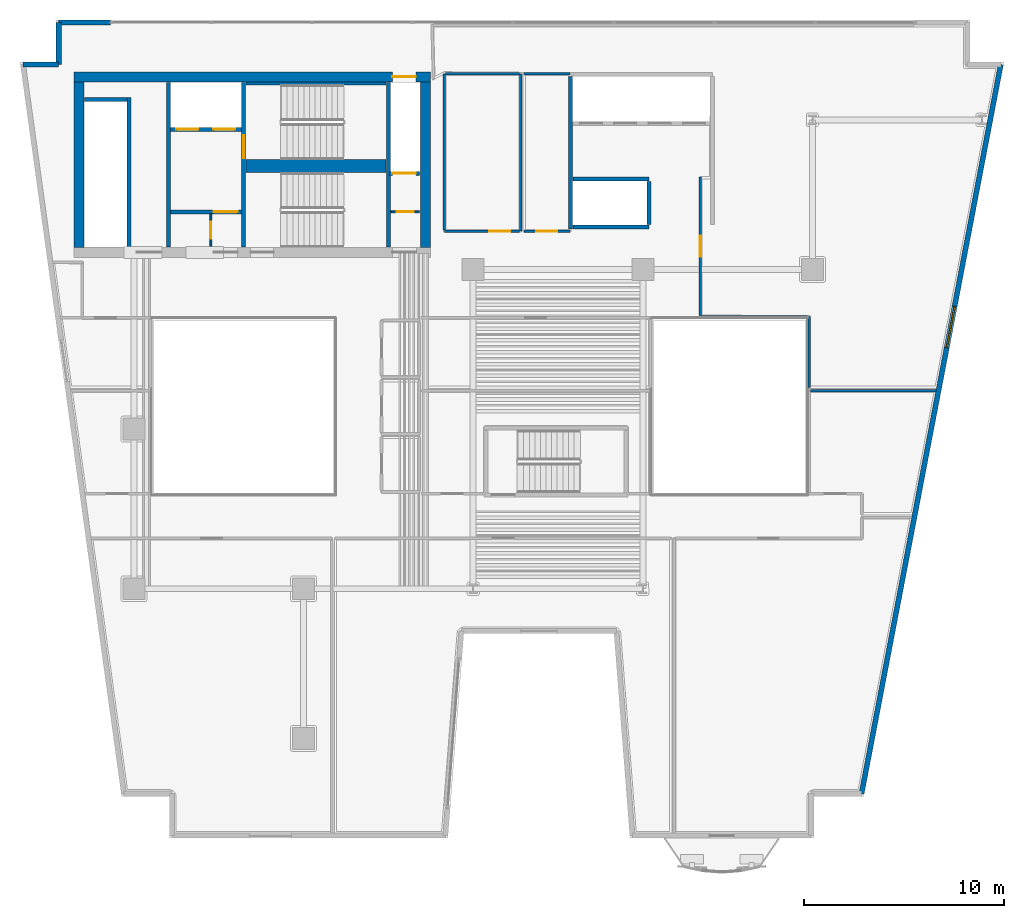
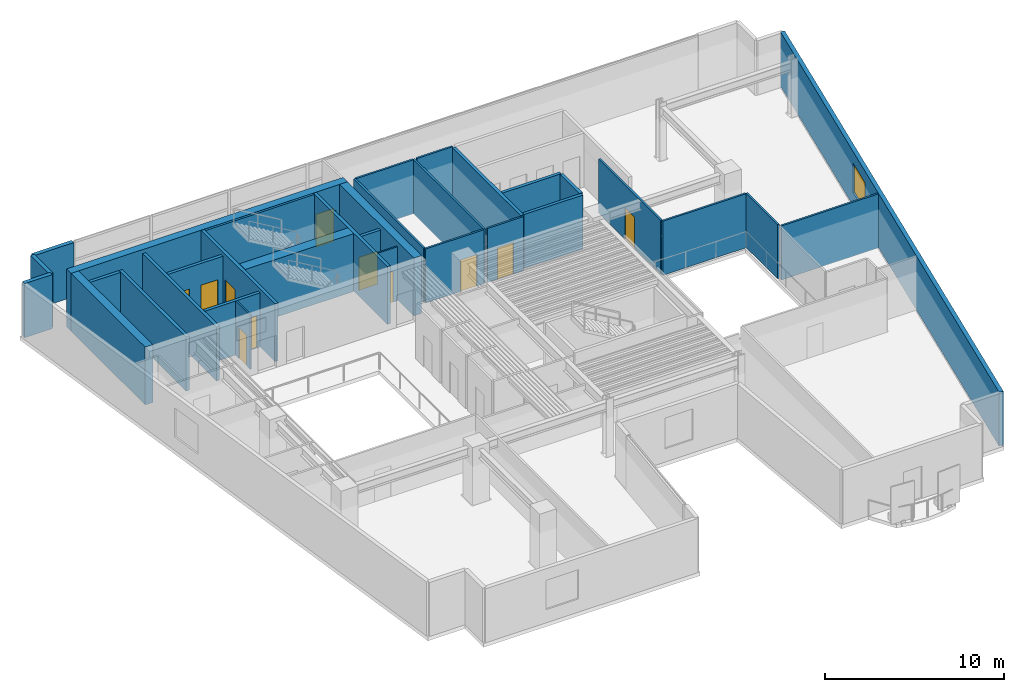
# One storey, part 7 of 13: 33 walls, 11 doors, 1 window, 12 openings.
"""IFC4 building model written with IfcOpenShell, lengths in metres."""

from ifc_helpers import new_model, si_unit, direction, frame, frame_2d, origin, place, context, subcontext, project, spatial, rectangle, extrude, material, layer, layer_set, type_object, element, fill, save


model = new_model("IFC4")

# Units and contexts
model_context = context("Model", 3, precision=1e-05, world=origin(), true_north=direction((0.0, 1.0)))
body_context = subcontext(model_context, "Body", "Model", "MODEL_VIEW")
ifc_project = project(units=[si_unit("LENGTHUNIT", "METRE"), si_unit("AREAUNIT", "SQUARE_METRE"), si_unit("VOLUMEUNIT", "CUBIC_METRE"), si_unit("PLANEANGLEUNIT", "RADIAN"), si_unit("MASSUNIT", "GRAM", prefix="KILO")], contexts=[model_context])

# Site, building, storey
site_placement = place(None, origin())
site = spatial("IfcSite", under=ifc_project, at=site_placement, CompositionType="ELEMENT")
building_placement = place(site_placement, origin())
building = spatial("IfcBuilding", under=site, at=building_placement, Name="Caeloran Harvest Quay", CompositionType="ELEMENT")
storey_placement = place(building_placement, frame((0.0, 0.0, 135.10009765625)))
storey = spatial("IfcBuildingStorey", under=building, at=storey_placement, Name="L31", CompositionType="ELEMENT", Elevation=135.10009765625)

# Walls
ifc_material_1 = material(Name="Precast concrete C50/60", Category="concrete")
ifc_layer_1 = layer(ifc_material_1, 0.260009765625, Name="Precast concrete C50/60")
ifc_layer_set_1 = layer_set([ifc_layer_1], Name="Precast concrete C50/60")
wall_type_1 = type_object("IfcWallType", Name="ENV-WALL-EW-260", PredefinedType="STANDARD", material=ifc_layer_set_1)
wall_1_placement = place(storey_placement, frame((2.939697265625, 41.27001953125, 0.0), z_axis=(0.0, 0.0, 1.0), x_axis=(1.0, 0.0, 0.0)))
element("IfcWall", 1, at=wall_1_placement, inside=storey, type_object=wall_type_1, Name="L31 Exterior Precast Concrete Facade Wall 4", PredefinedType="STANDARD", context=body_context, shape_type="SweptSolid", body=[
    extrude(rectangle(XDim=1.790283203125, YDim=0.260009765625, at=frame_2d((0.89501953125, 0.0))), origin(), (0.0, 0.0, 1.0), 3.68994140625),
])
wall_2_placement = place(storey_placement, frame((4.72998046875, 41.27001953125, 0.0), z_axis=(0.0, 0.0, 1.0), x_axis=(0.0, 1.0, 0.0)))
element("IfcWall", 2, at=wall_2_placement, inside=storey, type_object=wall_type_1, Name="L31 Exterior Precast Concrete Facade Wall 5", PredefinedType="STANDARD", context=body_context, shape_type="SweptSolid", body=[
    extrude(rectangle(XDim=2.10009765625, YDim=0.260009765625, at=frame_2d((1.050048828125, 0.0))), origin(), (0.0, 0.0, 1.0), 3.68994140625),
])
wall_3_placement = place(storey_placement, frame((4.72998046875, 43.3701171875, 0.0), z_axis=(0.0, 0.0, 1.0), x_axis=(1.0, 0.0, 0.0)))
element("IfcWall", 3, at=wall_3_placement, inside=storey, type_object=wall_type_1, Name="L31 Exterior Facade Corner Pier Wall 6A", PredefinedType="STANDARD", context=body_context, shape_type="SweptSolid", body=[
    extrude(rectangle(XDim=2.60009765625, YDim=0.260009765625, at=frame_2d((1.300048828125, 0.0))), origin(), (0.0, 0.0, 1.0), 3.68994140625),
])

# Wall, opening, window
wall_4_placement = place(storey_placement, frame((51.94189453125, 41.27001953125, 0.0), z_axis=(0.0, 0.0, 1.0), x_axis=(-0.187592192405, -0.982247000173, 0.0)))
wall_4 = element("IfcWall", 4, at=wall_4_placement, inside=storey, type_object=wall_type_1, Name="L31 Exterior Precast Concrete Facade Wall 9", PredefinedType="STANDARD", context=body_context, shape_type="SweptSolid", body=[
    extrude(rectangle(XDim=37.200439453125, YDim=0.260009765625, at=frame_2d((18.60009765625, 0.0))), origin(), (0.0, 0.0, 1.0), 3.68994140625),
])
opening_1_placement = place(wall_4_placement, frame((12.342041015625, 0.0, 0.89990234375)))
opening_1 = element("IfcOpeningElement", 5, at=opening_1_placement, cuts=wall_4, Name="Opening W-06", PredefinedType="OPENING", context=body_context, shape_type="SweptSolid", body=[
    extrude(rectangle(XDim=2.10009765625, YDim=2.0, at=frame_2d((1.050048828125, 1.0))), frame((0.0, 0.14013671875, 0.0), z_axis=(0.0, -1.0, 0.0), x_axis=(1.0, 0.0, 0.0)), (0.0, 0.0, 1.0), 0.280029296875),
])
ifc_material_2 = material(Name="Aluminium-Framed Low-E Laminated Glass", Category="aluminium")
window_type = type_object("IfcWindowType", Name="WIN-W-06", PartitioningType="DOUBLE_PANEL_VERTICAL", PredefinedType="WINDOW", material=ifc_material_2)
window_placement = place(opening_1_placement, origin())
window = element("IfcWindow", 6, at=window_placement, inside=storey, type_object=window_type, Name="L31 Facade Punched Window W-06", OverallHeight=2.0, OverallWidth=2.10009765625, PartitioningType="DOUBLE_PANEL_VERTICAL", PredefinedType="WINDOW", context=body_context, shape_type="SweptSolid", body=[
    extrude(rectangle(XDim=2.10009765625, YDim=2.0, at=frame_2d((1.050048828125, 1.0))), frame((0.0, 0.030029296875, 0.0), z_axis=(0.0, -1.0, 0.0), x_axis=(1.0, 0.0, 0.0)), (0.0, 0.0, 1.0), 0.06005859375),
])
fill(opening_1, window)

# Wall, opening, door
ifc_material_3 = material(Name="Fire-Resisting Gypsum Core Riser Partition", Category="gypsum")
ifc_layer_2 = layer(ifc_material_3, 0.10009765625, Name="Fire-Resisting Gypsum Core Riser Partition")
ifc_layer_set_2 = layer_set([ifc_layer_2], Name="Fire-Resisting Gypsum Core Riser Partition")
wall_type_2 = type_object("IfcWallType", Name="INT-WALL-PW-100", PredefinedType="PARTITIONING", material=ifc_layer_set_2)
wall_5_placement = place(storey_placement, frame((12.360107421875, 32.159912109375, 0.0), z_axis=(0.0, 0.0, 1.0), x_axis=(0.0, 1.0, 0.0)))
wall_5 = element("IfcWall", 7, at=wall_5_placement, inside=storey, type_object=wall_type_2, Name="L31 Core Store Partition Wall", PredefinedType="PARTITIONING", context=body_context, shape_type="SweptSolid", body=[
    extrude(rectangle(XDim=1.6201171875, YDim=0.10009765625, at=frame_2d((0.81005859375, 0.0))), origin(), (0.0, 0.0, 1.0), 3.68994140625),
])
opening_2_placement = place(wall_5_placement, frame((0.3798828125, 0.0, 0.0)))
opening_2 = element("IfcOpeningElement", 8, at=opening_2_placement, cuts=wall_5, Name="Opening SV-01", PredefinedType="OPENING", context=body_context, shape_type="SweptSolid", body=[
    extrude(rectangle(XDim=0.85009765625, YDim=2.10009765625, at=frame_2d((0.425048828125, 1.050048828125))), frame((0.0, 0.06005859375, 0.0), z_axis=(0.0, -1.0, 0.0), x_axis=(1.0, 0.0, 0.0)), (0.0, 0.0, 1.0), 0.1201171875),
])
ifc_material_4 = material(Name="Galvanized Painted Steel", Category="steel")
door_type_1 = type_object("IfcDoorType", Name="INTDOOR-SV-01", OperationType="NOTDEFINED", PredefinedType="DOOR", material=ifc_material_4)
door_1_placement = place(opening_2_placement, origin())
door_1 = element("IfcDoor", 9, at=door_1_placement, inside=storey, type_object=door_type_1, Name="L31 Core Service Room Access Door", OperationType="SINGLE_SWING_LEFT", OverallHeight=2.10009765625, OverallWidth=0.85009765625, PredefinedType="DOOR", context=body_context, shape_type="SweptSolid", body=[
    extrude(rectangle(XDim=0.85009765625, YDim=2.10009765625, at=frame_2d((0.425048828125, 1.050048828125))), frame((0.0, 0.02490234375, 0.0), z_axis=(0.0, -1.0, 0.0), x_axis=(1.0, 0.0, 0.0)), (0.0, 0.0, 1.0), 0.050048828125),
])
fill(opening_2, door_1)

wall_6_placement = place(storey_placement, frame((21.3798828125, 33.889892578125, 0.0), z_axis=(0.0, 0.0, 1.0), x_axis=(1.0, 0.0, 0.0)))
wall_6 = element("IfcWall", 10, at=wall_6_placement, inside=storey, type_object=wall_type_2, Name="L31 Cleaner Store Partition Wall", PredefinedType="PARTITIONING", context=body_context, shape_type="SweptSolid", body=[
    extrude(rectangle(XDim=1.420166015625, YDim=0.10009765625, at=frame_2d((0.7099609375, 0.0))), origin(), (0.0, 0.0, 1.0), 3.68994140625),
])
opening_3_placement = place(wall_6_placement, frame((0.280029296875, 0.0, 0.0)))
opening_3 = element("IfcOpeningElement", 11, at=opening_3_placement, cuts=wall_6, Name="Opening SV-01", PredefinedType="OPENING", context=body_context, shape_type="SweptSolid", body=[
    extrude(rectangle(XDim=0.85009765625, YDim=2.10009765625, at=frame_2d((0.425048828125, 1.050048828125))), frame((0.0, 0.06005859375, 0.0), z_axis=(0.0, -1.0, 0.0), x_axis=(1.0, 0.0, 0.0)), (0.0, 0.0, 1.0), 0.1201171875),
])
door_2_placement = place(opening_3_placement, origin())
door_2 = element("IfcDoor", 12, at=door_2_placement, inside=storey, type_object=door_type_1, Name="L31 Cleaner Supply Store Access Door", OperationType="SINGLE_SWING_RIGHT", OverallHeight=2.10009765625, OverallWidth=0.85009765625, PredefinedType="DOOR", context=body_context, shape_type="SweptSolid", body=[
    extrude(rectangle(XDim=0.85009765625, YDim=2.10009765625, at=frame_2d((0.425048828125, 1.050048828125))), frame((0.0, 0.02490234375, 0.0), z_axis=(0.0, -1.0, 0.0), x_axis=(1.0, 0.0, 0.0)), (0.0, 0.0, 1.0), 0.050048828125),
])
fill(opening_3, door_2)

# Wall
ifc_material_5 = material(Name="Twin-Stud Mineral-Wool Acoustic Gypsum Partition", Category="gypsum")
ifc_layer_3 = layer(ifc_material_5, 0.125, Name="Twin-Stud Mineral-Wool Acoustic Gypsum Partition")
ifc_layer_set_3 = layer_set([ifc_layer_3], Name="Twin-Stud Mineral-Wool Acoustic Gypsum Partition")
wall_type_3 = type_object("IfcWallType", Name="INT-WALL-PW-125", PredefinedType="PARTITIONING", material=ifc_layer_set_3)
wall_7_placement = place(storey_placement, frame((27.8798828125, 40.800048828125, 0.0), z_axis=(0.0, 0.0, 1.0), x_axis=(0.0, -1.0, 0.0)))
element("IfcWall", 13, at=wall_7_placement, inside=storey, type_object=wall_type_3, Name="L31 Crop Phenotyping West Laboratory Partition Wall", PredefinedType="PARTITIONING", context=body_context, shape_type="SweptSolid", body=[
    extrude(rectangle(XDim=7.880126953125, YDim=0.125, at=frame_2d((3.93994140625, 0.0))), origin(), (0.0, 0.0, 1.0), 3.68994140625),
])

# Wall, opening, door
wall_8_placement = place(storey_placement, frame((27.8125, 32.919921875, 0.0), z_axis=(0.0, 0.0, 1.0), x_axis=(-1.0, 0.0, 0.0)))
wall_8 = element("IfcWall", 14, at=wall_8_placement, inside=storey, type_object=wall_type_3, Name="L31 Crop Phenotyping West Laboratory Partition Wall", PredefinedType="PARTITIONING", context=body_context, shape_type="SweptSolid", body=[
    extrude(rectangle(XDim=3.762451171875, YDim=0.125, at=frame_2d((1.88134765625, 0.0))), origin(), (0.0, 0.0, 1.0), 3.68994140625),
])
opening_4_placement = place(wall_8_placement, frame((0.466064453125, 0.0, 0.0)))
opening_4 = element("IfcOpeningElement", 15, at=opening_4_placement, cuts=wall_8, Name="Opening ID-03", PredefinedType="OPENING", context=body_context, shape_type="SweptSolid", body=[
    extrude(rectangle(XDim=1.050048828125, YDim=2.14990234375, at=frame_2d((0.52490234375, 1.074951171875))), frame((0.0, 0.072509765625, 0.0), z_axis=(0.0, -1.0, 0.0), x_axis=(1.0, 0.0, 0.0)), (0.0, 0.0, 1.0), 0.14501953125),
])
ifc_material_6 = material(Name="FSC Solid-Core Oak Timber Leaf", Category="wood")
door_type_2 = type_object("IfcDoorType", Name="INTDOOR-ID-03", OperationType="NOTDEFINED", PredefinedType="DOOR", material=ifc_material_6)
door_3_placement = place(opening_4_placement, origin())
door_3 = element("IfcDoor", 16, at=door_3_placement, inside=storey, type_object=door_type_2, Name="L31 Crop Phenotyping West Laboratory Access Door", OperationType="SINGLE_SWING_RIGHT", OverallHeight=2.14990234375, OverallWidth=1.050048828125, PredefinedType="DOOR", context=body_context, shape_type="SweptSolid", body=[
    extrude(rectangle(XDim=1.050048828125, YDim=2.14990234375, at=frame_2d((0.52490234375, 1.074951171875))), frame((0.0, 0.02490234375, 0.0), z_axis=(0.0, -1.0, 0.0), x_axis=(1.0, 0.0, 0.0)), (0.0, 0.0, 1.0), 0.050048828125),
])
fill(opening_4, door_3)

# Walls
wall_9_placement = place(storey_placement, frame((24.050048828125, 32.987548828125, 0.0), z_axis=(0.0, 0.0, 1.0), x_axis=(0.0, 1.0, 0.0)))
element("IfcWall", 17, at=wall_9_placement, inside=storey, type_object=wall_type_3, Name="L31 Crop Phenotyping West Laboratory Partition Wall", PredefinedType="PARTITIONING", context=body_context, shape_type="SweptSolid", body=[
    extrude(rectangle(XDim=7.8125, YDim=0.125, at=frame_2d((3.90625, 0.0))), origin(), (0.0, 0.0, 1.0), 3.68994140625),
])
wall_10_placement = place(storey_placement, frame((24.117431640625, 40.800048828125, 0.0), z_axis=(0.0, 0.0, 1.0), x_axis=(1.0, 0.0, 0.0)))
element("IfcWall", 18, at=wall_10_placement, inside=storey, type_object=wall_type_3, Name="L31 Crop Phenotyping West Laboratory Partition Wall", PredefinedType="PARTITIONING", context=body_context, shape_type="SweptSolid", body=[
    extrude(rectangle(XDim=3.695068359375, YDim=0.125, at=frame_2d((1.84765625, 0.0))), origin(), (0.0, 0.0, 1.0), 3.68994140625),
])

# Wall, opening, door
wall_11_placement = place(storey_placement, frame((30.35009765625, 32.919921875, 0.0), z_axis=(0.0, 0.0, 1.0), x_axis=(-1.0, 0.0, 0.0)))
wall_11 = element("IfcWall", 19, at=wall_11_placement, inside=storey, type_object=wall_type_3, Name="L31 Genomics Sequencing East Studio Partition Wall", PredefinedType="PARTITIONING", context=body_context, shape_type="SweptSolid", body=[
    extrude(rectangle(XDim=2.31005859375, YDim=0.125, at=frame_2d((1.155029296875, 0.0))), origin(), (0.0, 0.0, 1.0), 3.68994140625),
])
opening_5_placement = place(wall_11_placement, frame((0.6298828125, 0.0, 0.0)))
opening_5 = element("IfcOpeningElement", 20, at=opening_5_placement, cuts=wall_11, Name="Opening ID-03", PredefinedType="OPENING", context=body_context, shape_type="SweptSolid", body=[
    extrude(rectangle(XDim=1.050048828125, YDim=2.14990234375, at=frame_2d((0.52490234375, 1.074951171875))), frame((0.0, 0.072509765625, 0.0), z_axis=(0.0, -1.0, 0.0), x_axis=(1.0, 0.0, 0.0)), (0.0, 0.0, 1.0), 0.14501953125),
])
door_4_placement = place(opening_5_placement, origin())
door_4 = element("IfcDoor", 21, at=door_4_placement, inside=storey, type_object=door_type_2, Name="L31 Genomics Sequencing East Studio Access Door", OperationType="SINGLE_SWING_LEFT", OverallHeight=2.14990234375, OverallWidth=1.050048828125, PredefinedType="DOOR", context=body_context, shape_type="SweptSolid", body=[
    extrude(rectangle(XDim=1.050048828125, YDim=2.14990234375, at=frame_2d((0.52490234375, 1.074951171875))), frame((0.0, 0.02490234375, 0.0), z_axis=(0.0, -1.0, 0.0), x_axis=(1.0, 0.0, 0.0)), (0.0, 0.0, 1.0), 0.050048828125),
])
fill(opening_5, door_4)

# Walls
wall_12_placement = place(storey_placement, frame((28.0400390625, 40.800048828125, 0.0), z_axis=(0.0, 0.0, 1.0), x_axis=(1.0, 0.0, 0.0)))
element("IfcWall", 22, at=wall_12_placement, inside=storey, type_object=wall_type_3, Name="L31 Genomics Sequencing East Studio Partition Wall", PredefinedType="PARTITIONING", context=body_context, shape_type="SweptSolid", body=[
    extrude(rectangle(XDim=2.31005859375, YDim=0.125, at=frame_2d((1.155029296875, 0.0))), origin(), (0.0, 0.0, 1.0), 3.68994140625),
])
wall_13_placement = place(storey_placement, frame((42.3974609375, 24.919921875, 0.0), z_axis=(0.0, 0.0, 1.0), x_axis=(1.0, 0.0, 0.0)))
element("IfcWall", 23, at=wall_13_placement, inside=storey, type_object=wall_type_3, Name="Bioreactor Pilot Hall Partition Wall", PredefinedType="PARTITIONING", context=body_context, shape_type="SweptSolid", body=[
    extrude(rectangle(XDim=6.284423828125, YDim=0.125, at=frame_2d((3.14208984375, 0.0))), origin(), (0.0, 0.0, 1.0), 3.68994140625),
])
wall_14_placement = place(storey_placement, frame((42.330078125, 25.080078125, 0.0), z_axis=(0.0, 0.0, 1.0), x_axis=(0.0, 1.0, 0.0)))
element("IfcWall", 24, at=wall_14_placement, inside=storey, type_object=wall_type_3, Name="Food Texture Sensory Laboratory 9 Partition Wall", PredefinedType="PARTITIONING", context=body_context, shape_type="SweptSolid", body=[
    extrude(rectangle(XDim=3.5498046875, YDim=0.125, at=frame_2d((1.77490234375, 0.0))), origin(), (0.0, 0.0, 1.0), 3.68994140625),
])
wall_15_placement = place(storey_placement, frame((42.262451171875, 28.6298828125, 0.0), z_axis=(0.0, 0.0, 1.0), x_axis=(-1.0, 0.0, 0.0)))
element("IfcWall", 25, at=wall_15_placement, inside=storey, type_object=wall_type_3, Name="Food Texture Sensory Laboratory 9 Partition Wall", PredefinedType="PARTITIONING", context=body_context, shape_type="SweptSolid", body=[
    extrude(rectangle(XDim=5.382568359375, YDim=0.125, at=frame_2d((2.69140625, 0.0))), origin(), (0.0, 0.0, 1.0), 3.68994140625),
])

# Wall, opening, door
wall_16_placement = place(storey_placement, frame((36.8798828125, 28.697509765625, 0.0), z_axis=(0.0, 0.0, 1.0), x_axis=(0.0, 1.0, 0.0)))
wall_16 = element("IfcWall", 26, at=wall_16_placement, inside=storey, type_object=wall_type_3, Name="Food Texture Sensory Laboratory 9 Partition Wall", PredefinedType="PARTITIONING", context=body_context, shape_type="SweptSolid", body=[
    extrude(rectangle(XDim=6.922607421875, YDim=0.125, at=frame_2d((3.46142578125, 0.0))), origin(), (0.0, 0.0, 1.0), 3.68994140625),
])
opening_6_placement = place(wall_16_placement, frame((2.936279296875, 0.0, 0.0)))
opening_6 = element("IfcOpeningElement", 27, at=opening_6_placement, cuts=wall_16, Name="Opening ID-03", PredefinedType="OPENING", context=body_context, shape_type="SweptSolid", body=[
    extrude(rectangle(XDim=1.050048828125, YDim=2.14990234375, at=frame_2d((0.52490234375, 1.074951171875))), frame((0.0, 0.072509765625, 0.0), z_axis=(0.0, -1.0, 0.0), x_axis=(1.0, 0.0, 0.0)), (0.0, 0.0, 1.0), 0.14501953125),
])
door_5_placement = place(opening_6_placement, origin())
door_5 = element("IfcDoor", 28, at=door_5_placement, inside=storey, type_object=door_type_2, Name="Food Texture Sensory Laboratory 9 Access Door", OperationType="SINGLE_SWING_LEFT", OverallHeight=2.14990234375, OverallWidth=1.050048828125, PredefinedType="DOOR", context=body_context, shape_type="SweptSolid", body=[
    extrude(rectangle(XDim=1.050048828125, YDim=2.14990234375, at=frame_2d((0.52490234375, 1.074951171875))), frame((0.0, 0.02490234375, 0.0), z_axis=(0.0, -1.0, 0.0), x_axis=(1.0, 0.0, 0.0)), (0.0, 0.0, 1.0), 0.050048828125),
])
fill(opening_6, door_5)

# Walls
ifc_material_7 = material(Name="Concrete C50/60", Category="concrete")
ifc_layer_4 = layer(ifc_material_7, 0.199951171875, Name="Concrete C50/60")
ifc_layer_set_4 = layer_set([ifc_layer_4], Name="Concrete C50/60")
wall_type_4 = type_object("IfcWallType", Name="INT-WALL-SW-200", PredefinedType="PARTITIONING", material=ifc_layer_set_4)
wall_17_placement = place(storey_placement, frame((8.260009765625, 32.1201171875, 0.0), z_axis=(0.0, 0.0, 1.0), x_axis=(0.0, 1.0, 0.0)))
element("IfcWall", 29, at=wall_17_placement, inside=storey, type_object=wall_type_4, Name="L31 Bank 3 Lift Shaft Wall", PredefinedType="PARTITIONING", context=body_context, shape_type="SweptSolid", body=[
    extrude(rectangle(XDim=7.5, YDim=0.199951171875, at=frame_2d((3.75, 0.0))), origin(), (0.0, 0.0, 1.0), 3.68994140625),
])
wall_18_placement = place(storey_placement, frame((6.02001953125, 39.52001953125, 0.0), z_axis=(0.0, 0.0, 1.0), x_axis=(1.0, 0.0, 0.0)))
element("IfcWall", 30, at=wall_18_placement, inside=storey, type_object=wall_type_4, Name="L31 Bank 3 Lift Shaft North End Wall", PredefinedType="PARTITIONING", context=body_context, shape_type="SweptSolid", body=[
    extrude(rectangle(XDim=2.119873046875, YDim=0.199951171875, at=frame_2d((1.06005859375, 0.0))), origin(), (0.0, 0.0, 1.0), 3.68994140625),
])
wall_19_placement = place(storey_placement, frame((10.219970703125, 32.1201171875, 0.0), z_axis=(0.0, 0.0, 1.0), x_axis=(0.0, 1.0, 0.0)))
element("IfcWall", 31, at=wall_19_placement, inside=storey, type_object=wall_type_4, Name="L31 Core Lobby Compartment Wall", PredefinedType="PARTITIONING", context=body_context, shape_type="SweptSolid", body=[
    extrude(rectangle(XDim=8.259765625, YDim=0.199951171875, at=frame_2d((4.1298828125, 0.0))), origin(), (0.0, 0.0, 1.0), 3.68994140625),
])

# Wall, openings, doors
wall_20_placement = place(storey_placement, frame((10.340087890625, 38.02001953125, 0.0), z_axis=(0.0, 0.0, 1.0), x_axis=(1.0, 0.0, 0.0)))
wall_20 = element("IfcWall", 32, at=wall_20_placement, inside=storey, type_object=wall_type_4, Name="L31 Firefighting Lift Shaft Wall", PredefinedType="PARTITIONING", context=body_context, shape_type="SweptSolid", body=[
    extrude(rectangle(XDim=3.539794921875, YDim=0.199951171875, at=frame_2d((1.77001953125, 0.0))), origin(), (0.0, 0.0, 1.0), 3.68994140625),
])
opening_7_placement = place(wall_20_placement, frame((0.284912109375, 0.0, 0.0)))
opening_7 = element("IfcOpeningElement", 33, at=opening_7_placement, cuts=wall_20, Name="Opening LD-01", PredefinedType="OPENING", context=body_context, shape_type="SweptSolid", body=[
    extrude(rectangle(XDim=1.10009765625, YDim=2.199951171875, at=frame_2d((0.550048828125, 1.10009765625))), frame((0.0, 0.10986328125, 0.0), z_axis=(0.0, -1.0, 0.0), x_axis=(1.0, 0.0, 0.0)), (0.0, 0.0, 1.0), 0.219970703125),
])
opening_8_placement = place(wall_20_placement, frame((2.135009765625, 0.0, 0.0)))
opening_8 = element("IfcOpeningElement", 34, at=opening_8_placement, cuts=wall_20, Name="Opening LD-01", PredefinedType="OPENING", context=body_context, shape_type="SweptSolid", body=[
    extrude(rectangle(XDim=1.10009765625, YDim=2.199951171875, at=frame_2d((0.550048828125, 1.10009765625))), frame((0.0, 0.10986328125, 0.0), z_axis=(0.0, -1.0, 0.0), x_axis=(1.0, 0.0, 0.0)), (0.0, 0.0, 1.0), 0.219970703125),
])
ifc_material_8 = material(Name="Stainless Steel Grade 316", Category="steel")
door_type_3 = type_object("IfcDoorType", Name="INTDOOR-LD-01", OperationType="NOTDEFINED", PredefinedType="DOOR", material=ifc_material_8)
door_6_placement = place(opening_7_placement, origin())
door_6 = element("IfcDoor", 35, at=door_6_placement, inside=storey, type_object=door_type_3, Name="Lift FF-1 Sliding Landing Door (L31)", OperationType="DOUBLE_DOOR_SLIDING", OverallHeight=2.199951171875, OverallWidth=1.10009765625, PredefinedType="DOOR", context=body_context, shape_type="SweptSolid", body=[
    extrude(rectangle(XDim=1.10009765625, YDim=2.199951171875, at=frame_2d((0.550048828125, 1.10009765625))), frame((0.0, 0.02490234375, 0.0), z_axis=(0.0, -1.0, 0.0), x_axis=(1.0, 0.0, 0.0)), (0.0, 0.0, 1.0), 0.050048828125),
])
fill(opening_7, door_6)
door_7_placement = place(opening_8_placement, origin())
door_7 = element("IfcDoor", 36, at=door_7_placement, inside=storey, type_object=door_type_3, Name="Lift FF-2 Sliding Landing Door (L31)", OperationType="DOUBLE_DOOR_SLIDING", OverallHeight=2.199951171875, OverallWidth=1.10009765625, PredefinedType="DOOR", context=body_context, shape_type="SweptSolid", body=[
    extrude(rectangle(XDim=1.10009765625, YDim=2.199951171875, at=frame_2d((0.550048828125, 1.10009765625))), frame((0.0, 0.02490234375, 0.0), z_axis=(0.0, -1.0, 0.0), x_axis=(1.0, 0.0, 0.0)), (0.0, 0.0, 1.0), 0.050048828125),
])
fill(opening_8, door_7)

# Wall, opening, door
wall_21_placement = place(storey_placement, frame((10.340087890625, 33.8798828125, 0.0), z_axis=(0.0, 0.0, 1.0), x_axis=(1.0, 0.0, 0.0)))
wall_21 = element("IfcWall", 37, at=wall_21_placement, inside=storey, type_object=wall_type_4, Name="L31 Firefighting Lift Lobby Enclosure Wall", PredefinedType="PARTITIONING", context=body_context, shape_type="SweptSolid", body=[
    extrude(rectangle(XDim=3.559814453125, YDim=0.199951171875, at=frame_2d((1.77978515625, 0.0))), origin(), (0.0, 0.0, 1.0), 3.68994140625),
])
opening_9_placement = place(wall_21_placement, frame((2.14990234375, 0.0, 0.0)))
opening_9 = element("IfcOpeningElement", 38, at=opening_9_placement, cuts=wall_21, Name="Opening FD-01", PredefinedType="OPENING", context=body_context, shape_type="SweptSolid", body=[
    extrude(rectangle(XDim=1.199951171875, YDim=2.199951171875, at=frame_2d((0.60009765625, 1.10009765625))), frame((0.0, 0.10986328125, 0.0), z_axis=(0.0, -1.0, 0.0), x_axis=(1.0, 0.0, 0.0)), (0.0, 0.0, 1.0), 0.219970703125),
])
ifc_material_9 = material(Name="Steel", Category="steel")
door_type_4 = type_object("IfcDoorType", Name="INTDOOR-FD-01", OperationType="NOTDEFINED", PredefinedType="DOOR", material=ifc_material_9)
door_8_placement = place(opening_9_placement, origin())
door_8 = element("IfcDoor", 39, at=door_8_placement, inside=storey, type_object=door_type_4, Name="L31 Firefighting Lift Lobby Smoke-Seal Fire Door", OperationType="SINGLE_SWING_LEFT", OverallHeight=2.199951171875, OverallWidth=1.199951171875, PredefinedType="DOOR", context=body_context, shape_type="SweptSolid", body=[
    extrude(rectangle(XDim=1.199951171875, YDim=2.199951171875, at=frame_2d((0.60009765625, 1.10009765625))), frame((0.0, 0.02490234375, 0.0), z_axis=(0.0, -1.0, 0.0), x_axis=(1.0, 0.0, 0.0)), (0.0, 0.0, 1.0), 0.050048828125),
])
fill(opening_9, door_8)

wall_22_placement = place(storey_placement, frame((21.300048828125, 35.820068359375, 0.0), z_axis=(0.0, 0.0, 1.0), x_axis=(1.0, 0.0, 0.0)))
wall_22 = element("IfcWall", 40, at=wall_22_placement, inside=storey, type_object=wall_type_4, Name="L31 Service Lift SV-2 Shaft Wall", PredefinedType="PARTITIONING", context=body_context, shape_type="SweptSolid", body=[
    extrude(rectangle(XDim=1.5, YDim=0.199951171875, at=frame_2d((0.75, 0.0))), origin(), (0.0, 0.0, 1.0), 3.68994140625),
])
opening_10_placement = place(wall_22_placement, frame((0.14501953125, 0.0, 0.0)))
opening_10 = element("IfcOpeningElement", 41, at=opening_10_placement, cuts=wall_22, Name="Opening LD-02", PredefinedType="OPENING", context=body_context, shape_type="SweptSolid", body=[
    extrude(rectangle(XDim=1.179931640625, YDim=2.25, at=frame_2d((0.58984375, 1.125))), frame((0.0, 0.10986328125, 0.0), z_axis=(0.0, -1.0, 0.0), x_axis=(1.0, 0.0, 0.0)), (0.0, 0.0, 1.0), 0.219970703125),
])
door_type_5 = type_object("IfcDoorType", Name="INTDOOR-LD-02", OperationType="NOTDEFINED", PredefinedType="DOOR", material=ifc_material_8)
door_9_placement = place(opening_10_placement, origin())
door_9 = element("IfcDoor", 42, at=door_9_placement, inside=storey, type_object=door_type_5, Name="Lift SV-2 Sliding Landing Door (L31)", OperationType="DOUBLE_DOOR_SLIDING", OverallHeight=2.25, OverallWidth=1.179931640625, PredefinedType="DOOR", context=body_context, shape_type="SweptSolid", body=[
    extrude(rectangle(XDim=1.179931640625, YDim=2.25, at=frame_2d((0.58984375, 1.125))), frame((0.0, 0.02490234375, 0.0), z_axis=(0.0, -1.0, 0.0), x_axis=(1.0, 0.0, 0.0)), (0.0, 0.0, 1.0), 0.050048828125),
])
fill(opening_10, door_9)

# Walls
wall_23_placement = place(storey_placement, frame((30.3798828125, 33.02001953125, 0.0), z_axis=(0.0, 0.0, 1.0), x_axis=(0.0, 1.0, 0.0)))
element("IfcWall", 43, at=wall_23_placement, inside=storey, type_object=wall_type_4, Name="L31 Bank 2 and Shuttle Lift Shaft West Wall", PredefinedType="PARTITIONING", context=body_context, shape_type="SweptSolid", body=[
    extrude(rectangle(XDim=7.639892578125, YDim=0.199951171875, at=frame_2d((3.81982421875, 0.0))), origin(), (0.0, 0.0, 1.0), 3.68994140625),
])
for number, where, z_axis, x_axis, name in (
    (44, (30.5, 35.530029296875, 0.0), (0.0, 0.0, 1.0), (1.0, 0.0, 0.0), "L31 Shuttle Lift Landing Front Wall"),
    (45, (30.5, 33.1201171875, 0.0), (0.0, 0.0, 1.0), (1.0, 0.0, 0.0), "L31 Shuttle Lift Shaft South Wall"),
):
    element("IfcWall", number, at=place(storey_placement, frame(where, z_axis=z_axis, x_axis=x_axis)), inside=storey, type_object=wall_type_4, Name=name, PredefinedType="PARTITIONING", context=body_context, shape_type="SweptSolid", body=[
        extrude(rectangle(XDim=3.800048828125, YDim=0.199951171875, at=frame_2d((1.89990234375, 0.0))), origin(), (0.0, 0.0, 1.0), 3.68994140625),
    ])
wall_24_placement = place(storey_placement, frame((34.300048828125, 33.239990234375, 0.0), z_axis=(0.0, 0.0, 1.0), x_axis=(0.0, 1.0, 0.0)))
element("IfcWall", 46, at=wall_24_placement, inside=storey, type_object=wall_type_4, Name="L31 Shuttle Lift Shaft East Wall", PredefinedType="PARTITIONING", context=body_context, shape_type="SweptSolid", body=[
    extrude(rectangle(XDim=2.169921875, YDim=0.199951171875, at=frame_2d((1.0849609375, 0.0))), origin(), (0.0, 0.0, 1.0), 3.68994140625),
])

# Wall, opening, door
ifc_material_10 = material(Name="Concrete C70/85", Category="concrete")
ifc_layer_5 = layer(ifc_material_10, 0.5, Name="Concrete C70/85")
ifc_layer_set_5 = layer_set([ifc_layer_5], Name="Concrete C70/85")
wall_type_5 = type_object("IfcWallType", Name="STR-WALL-CW-500", PredefinedType="SHEAR", material=ifc_layer_set_5)
wall_25_placement = place(storey_placement, frame((5.5, 40.64990234375, 0.0), z_axis=(0.0, 0.0, 1.0), x_axis=(1.0, 0.0, 0.0)))
wall_25 = element("IfcWall", 47, at=wall_25_placement, inside=storey, type_object=wall_type_5, Name="L31 Rear Core Shear Wall N", PredefinedType="SHEAR", context=body_context, shape_type="SweptSolid", body=[
    extrude(rectangle(XDim=17.85009765625, YDim=0.5, at=frame_2d((8.925048828125, 0.0))), origin(), (0.0, 0.0, 1.0), 3.949951171875),
])
opening_11_placement = place(wall_25_placement, frame((15.945068359375, 0.0, 0.0)))
opening_11 = element("IfcOpeningElement", 48, at=opening_11_placement, cuts=wall_25, Name="Opening LD-02", PredefinedType="OPENING", context=body_context, shape_type="SweptSolid", body=[
    extrude(rectangle(XDim=1.179931640625, YDim=2.25, at=frame_2d((0.58984375, 1.125))), frame((0.0, 0.260009765625, 0.0), z_axis=(0.0, -1.0, 0.0), x_axis=(1.0, 0.0, 0.0)), (0.0, 0.0, 1.0), 0.52001953125),
])
door_10_placement = place(opening_11_placement, origin())
door_10 = element("IfcDoor", 49, at=door_10_placement, inside=storey, type_object=door_type_5, Name="Lift SV-1 Sliding Landing Door (L31)", OperationType="DOUBLE_DOOR_SLIDING", OverallHeight=2.25, OverallWidth=1.179931640625, PredefinedType="DOOR", context=body_context, shape_type="SweptSolid", body=[
    extrude(rectangle(XDim=1.179931640625, YDim=2.25, at=frame_2d((0.58984375, 1.125))), frame((0.0, 0.02490234375, 0.0), z_axis=(0.0, -1.0, 0.0), x_axis=(1.0, 0.0, 0.0)), (0.0, 0.0, 1.0), 0.050048828125),
])
fill(opening_11, door_10)

# Walls
for number, where, z_axis, x_axis, name in (
    (50, (5.75, 32.10009765625, 0.0), (0.0, 0.0, 1.0), (0.0, 1.0, 0.0), "L31 Rear Core Shear Wall W"),
    (51, (23.10009765625, 32.10009765625, 0.0), (0.0, 0.0, 1.0), (0.0, 1.0, 0.0), "L31 Rear Core Shear Wall E"),
):
    element("IfcWall", number, at=place(storey_placement, frame(where, z_axis=z_axis, x_axis=x_axis)), inside=storey, type_object=wall_type_5, Name=name, PredefinedType="SHEAR", context=body_context, shape_type="SweptSolid", body=[
        extrude(rectangle(XDim=8.2998046875, YDim=0.5, at=frame_2d((4.14990234375, 0.0))), origin(), (0.0, 0.0, 1.0), 3.949951171875),
    ])
ifc_material_11 = material(Name="Concrete C60/75", Category="concrete")
ifc_layer_6 = layer(ifc_material_11, 0.64990234375, Name="Concrete C60/75")
ifc_layer_set_6 = layer_set([ifc_layer_6], Name="Concrete C60/75")
wall_type_6 = type_object("IfcWallType", Name="STR-WALL-CW-650", PredefinedType="SHEAR", material=ifc_layer_set_6)
wall_26_placement = place(storey_placement, frame((14.1201171875, 36.175048828125, 0.0), z_axis=(0.0, 0.0, 1.0), x_axis=(1.0, 0.0, 0.0)))
element("IfcWall", 52, at=wall_26_placement, inside=storey, type_object=wall_type_6, Name="L31 Core Stairs Dividing Shear Wall", PredefinedType="SHEAR", context=body_context, shape_type="SweptSolid", body=[
    extrude(rectangle(XDim=7.009765625, YDim=0.64990234375, at=frame_2d((3.5048828125, 0.0))), origin(), (0.0, 0.0, 1.0), 3.949951171875),
])
ifc_layer_7 = layer(ifc_material_11, 0.139892578125, Name="Concrete C60/75")
ifc_layer_set_7 = layer_set([ifc_layer_7], Name="Concrete C60/75")
wall_type_7 = type_object("IfcWallType", Name="STR-WALL-SW-140", PredefinedType="SHEAR", material=ifc_layer_set_7)
wall_27_placement = place(storey_placement, frame((14.1201171875, 40.320068359375, 0.0), z_axis=(0.0, 0.0, 1.0), x_axis=(1.0, 0.0, 0.0)))
element("IfcWall", 53, at=wall_27_placement, inside=storey, type_object=wall_type_7, Name="L31 Core Stair ST-C1 North Bearing Shear Wall", PredefinedType="SHEAR", context=body_context, shape_type="SweptSolid", body=[
    extrude(rectangle(XDim=7.009765625, YDim=0.139892578125, at=frame_2d((3.5048828125, 0.0))), origin(), (0.0, 0.0, 1.0), 3.949951171875),
])

# Wall, opening, door
ifc_layer_8 = layer(ifc_material_11, 0.199951171875, Name="Concrete C60/75")
ifc_layer_set_8 = layer_set([ifc_layer_8], Name="Concrete C60/75")
wall_type_8 = type_object("IfcWallType", Name="STR-WALL-SW-200", PredefinedType="SHEAR", material=ifc_layer_set_8)
wall_28_placement = place(storey_placement, frame((14.0, 32.1201171875, 0.0), z_axis=(0.0, 0.0, 1.0), x_axis=(0.0, 1.0, 0.0)))
wall_28 = element("IfcWall", 54, at=wall_28_placement, inside=storey, type_object=wall_type_8, Name="L31 Core Stair Shaft West Shear Wall", PredefinedType="SHEAR", context=body_context, shape_type="SweptSolid", body=[
    extrude(rectangle(XDim=8.259765625, YDim=0.199951171875, at=frame_2d((4.1298828125, 0.0))), origin(), (0.0, 0.0, 1.0), 3.949951171875),
])
opening_12_placement = place(wall_28_placement, frame((4.4599609375, 0.0, 0.0)))
opening_12 = element("IfcOpeningElement", 55, at=opening_12_placement, cuts=wall_28, Name="Opening SD-01", PredefinedType="OPENING", context=body_context, shape_type="SweptSolid", body=[
    extrude(rectangle(XDim=1.14990234375, YDim=2.199951171875, at=frame_2d((0.574951171875, 1.10009765625))), frame((0.0, 0.10986328125, 0.0), z_axis=(0.0, -1.0, 0.0), x_axis=(1.0, 0.0, 0.0)), (0.0, 0.0, 1.0), 0.219970703125),
])
door_type_6 = type_object("IfcDoorType", Name="INTDOOR-SD-01", OperationType="NOTDEFINED", PredefinedType="DOOR", material=ifc_material_9)
door_11_placement = place(opening_12_placement, origin())
door_11 = element("IfcDoor", 56, at=door_11_placement, inside=storey, type_object=door_type_6, Name="L31 Protected Stair ST-C1 Exit Door", OperationType="SINGLE_SWING_LEFT", OverallHeight=2.199951171875, OverallWidth=1.14990234375, PredefinedType="DOOR", context=body_context, shape_type="SweptSolid", body=[
    extrude(rectangle(XDim=1.14990234375, YDim=2.199951171875, at=frame_2d((0.574951171875, 1.10009765625))), frame((0.0, 0.02490234375, 0.0), z_axis=(0.0, -1.0, 0.0), x_axis=(1.0, 0.0, 0.0)), (0.0, 0.0, 1.0), 0.050048828125),
])
fill(opening_12, door_11)

# Wall
wall_29_placement = place(storey_placement, frame((21.25, 32.1201171875, 0.0), z_axis=(0.0, 0.0, 1.0), x_axis=(0.0, 1.0, 0.0)))
element("IfcWall", 57, at=wall_29_placement, inside=storey, type_object=wall_type_8, Name="L31 Core Stair Shaft East Shear Wall", PredefinedType="SHEAR", context=body_context, shape_type="SweptSolid", body=[
    extrude(rectangle(XDim=8.259765625, YDim=0.199951171875, at=frame_2d((4.1298828125, 0.0))), origin(), (0.0, 0.0, 1.0), 3.949951171875),
])

save(model, "model.ifc")
